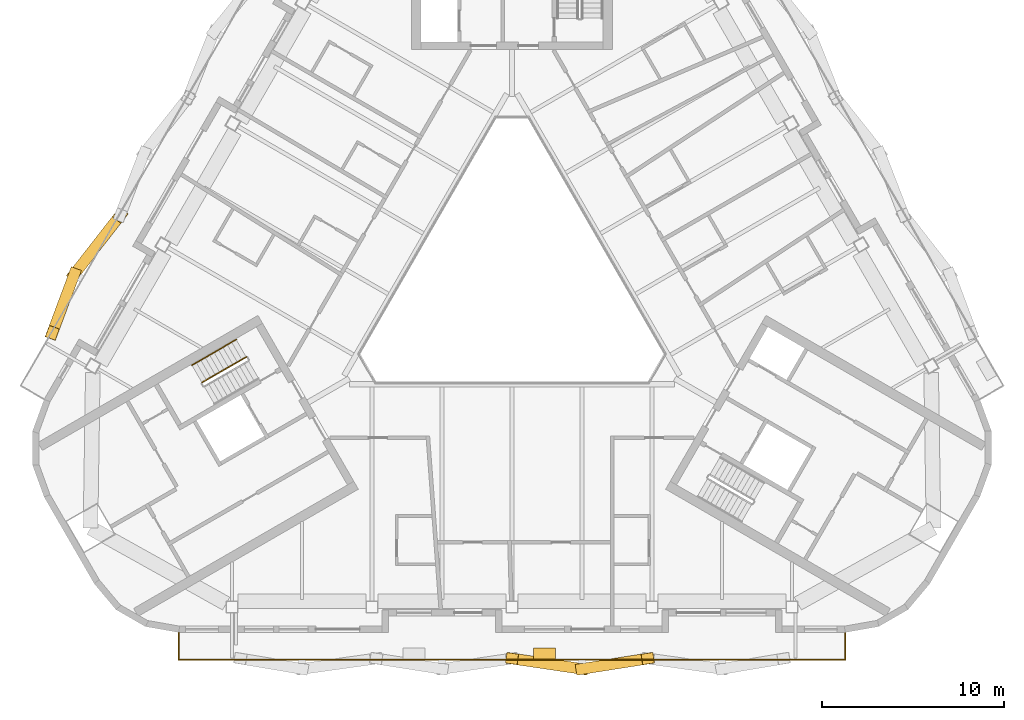
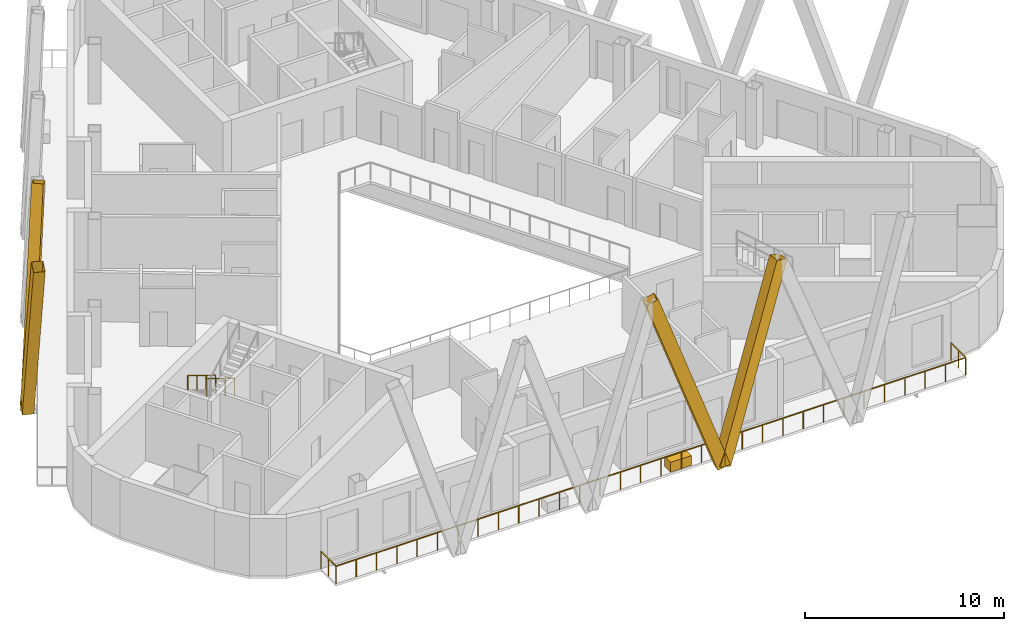
# One storey, part 10 of 14: 4 shading devices, 3 railings, 1 covering.
"""IFC4 building model written with IfcOpenShell, lengths in metres."""

from ifc_helpers import new_model, si_unit, direction, frame, origin, origin_2d, place, context, subcontext, project, spatial, rectangle, hollow_rectangle, circle, extrude, material, material_profile, profile_set, type_object, element, save


model = new_model("IFC4")

# Units and contexts
model_context = context("Model", 3, precision=1e-05, world=origin(), true_north=direction((0.0, 1.0)))
body_context = subcontext(model_context, "Body", "Model", "MODEL_VIEW")
ifc_project = project(units=[si_unit("LENGTHUNIT", "METRE"), si_unit("AREAUNIT", "SQUARE_METRE"), si_unit("VOLUMEUNIT", "CUBIC_METRE"), si_unit("PLANEANGLEUNIT", "RADIAN"), si_unit("MASSUNIT", "GRAM", prefix="KILO")], contexts=[model_context])

# Site, building, storey
site_placement = place(None, origin())
site = spatial("IfcSite", under=ifc_project, at=site_placement, CompositionType="ELEMENT")
building_placement = place(site_placement, origin())
building = spatial("IfcBuilding", under=site, at=building_placement, Name="Apuvela Tower Hotel", CompositionType="ELEMENT")
storey_placement = place(building_placement, frame((0.0, 0.0, 257.800048828125)))
storey = spatial("IfcBuildingStorey", under=building, at=storey_placement, Name="L63", CompositionType="ELEMENT", Elevation=257.800048828125)

# Railings
ifc_material_1 = material(Name="Steel S275 balustrade", Category="steel")
railing_type_1 = type_object("IfcRailingType", Name="COR-GUARD-1100", PredefinedType="GUARDRAIL", material=ifc_material_1)
railing_1_placement = place(storey_placement, frame((-14.569091796875, -3.9658203125, 0.168212890625)))
element("IfcRailing", 1, at=railing_1_placement, inside=storey, type_object=railing_type_1, Name="L63 ST2 stair guard 1", PredefinedType="GUARDRAIL", context=body_context, shape_type="SweptSolid", body=[
    extrude(rectangle(XDim=0.048095703125, YDim=0.048095703125, at=origin_2d()), frame((0.0, 0.0, 1.076171875), z_axis=(-0.74241905619, -0.428617687091, 0.514879426), x_axis=(0.49998411664, -0.866034573852, 0.0)), (0.0, 0.0, 1.0), 3.26611328125),
    extrude(rectangle(XDim=0.0419921875, YDim=0.0419921875, at=origin_2d()), origin(), (0.0, 0.0, 1.0), 1.052001953125),
    extrude(rectangle(XDim=0.0419921875, YDim=0.0419921875, at=origin_2d()), frame((-0.808349609375, -0.466552734375, 0.560546875)), (0.0, 0.0, 1.0), 1.052001953125),
    extrude(rectangle(XDim=0.0419921875, YDim=0.0419921875, at=origin_2d()), frame((-1.616455078125, -0.933349609375, 1.12109375)), (0.0, 0.0, 1.0), 1.052001953125),
    extrude(rectangle(XDim=0.0419921875, YDim=0.0419921875, at=origin_2d()), frame((-2.4248046875, -1.39990234375, 1.681640625)), (0.0, 0.0, 1.0), 1.052001953125),
])
ifc_material_2 = material(Name="Stainless steel 316 handrail", Category="steel")
railing_type_2 = type_object("IfcRailingType", Name="COR-HANDRAIL-900", PredefinedType="HANDRAIL", material=ifc_material_2)
railing_2_placement = place(storey_placement, frame((-15.118896484375, -3.01318359375, 0.168212890625)))
element("IfcRailing", 2, at=railing_2_placement, inside=storey, type_object=railing_type_2, Name="L63 ST2 stair handrail 1", PredefinedType="HANDRAIL", context=body_context, shape_type="SweptSolid", body=[
    extrude(circle(Radius=0.02392578125, at=origin_2d()), frame((0.0, 0.0, 0.8759765625), z_axis=(-0.742452602333, -0.428593901316, 0.514850853203), x_axis=(0.49994636267, -0.866056369097, 0.0)), (0.0, 0.0, 1.0), 3.266357421875),
    extrude(rectangle(XDim=0.0419921875, YDim=0.0419921875, at=origin_2d()), origin(), (0.0, 0.0, 1.0), 0.851806640625),
    extrude(rectangle(XDim=0.0419921875, YDim=0.0419921875, at=origin_2d()), frame((-0.808349609375, -0.466552734375, 0.560546875)), (0.0, 0.0, 1.0), 0.851806640625),
    extrude(rectangle(XDim=0.0419921875, YDim=0.0419921875, at=origin_2d()), frame((-1.61669921875, -0.933349609375, 1.12109375)), (0.0, 0.0, 1.0), 0.851806640625),
    extrude(rectangle(XDim=0.0419921875, YDim=0.0419921875, at=origin_2d()), frame((-2.425048828125, -1.39990234375, 1.681640625)), (0.0, 0.0, 1.0), 0.851806640625),
])

# Shading devices
ifc_material_3 = material(Name="Aluminium 6063-T6, black anodised", Category="aluminium")
ifc_material_profile = material_profile(ifc_material_3, hollow_rectangle(XDim=0.60009765625, YDim=0.699951171875, WallThickness=0.011962890625, at=origin_2d()), Name="AL BOX 700x600x12")
ifc_profile_set = profile_set([ifc_material_profile], Name="Aluminium 6063-T6, black anodised")
shading_device_type = type_object("IfcShadingDeviceType", Name="ENV-FIN-700x600", PredefinedType="USERDEFINED", material=ifc_profile_set)
shading_device_1_placement = place(storey_placement, frame((3.8359375, -21.06298828125, -0.10009765625), z_axis=(-0.326243397672, 0.048234687678, 0.944054373635), x_axis=(-0.146258864264, -0.989246351838, 0.0)))
element("IfcShadingDevice", 3, at=shading_device_1_placement, inside=storey, type_object=shading_device_type, Name="Lattice fin S541", ObjectType="FIN", PredefinedType="USERDEFINED", context=body_context, shape_type="SweptSolid", body=[
    extrude(hollow_rectangle(XDim=0.60009765625, YDim=0.699951171875, WallThickness=0.011962890625, at=origin_2d()), origin(), (0.0, 0.0, 1.0), 11.7578125),
])
shading_device_2_placement = place(storey_placement, frame((3.8359375, -21.06298828125, -0.10009765625), z_axis=(0.308732219208, 0.048533866497, 0.949909932902), x_axis=(-0.155296550327, 0.987867896764, 0.0)))
element("IfcShadingDevice", 4, at=shading_device_2_placement, inside=storey, type_object=shading_device_type, Name="Lattice fin S542", ObjectType="FIN", PredefinedType="USERDEFINED", context=body_context, shape_type="SweptSolid", body=[
    extrude(hollow_rectangle(XDim=0.60009765625, YDim=0.699951171875, WallThickness=0.011962890625, at=origin_2d()), origin(), (0.0, 0.0, 1.0), 11.685302734375),
])
shading_device_3_placement = place(storey_placement, frame((-23.994873046875, 0.5654296875, -0.10009765625), z_axis=(0.213209995974, 0.273449298175, 0.937958943102), x_axis=(-0.788614818164, 0.61488752514, 0.0)))
element("IfcShadingDevice", 5, at=shading_device_3_placement, inside=storey, type_object=shading_device_type, Name="Lattice fin NW607", ObjectType="FIN", PredefinedType="USERDEFINED", context=body_context, shape_type="SweptSolid", body=[
    extrude(hollow_rectangle(XDim=0.60009765625, YDim=0.699951171875, WallThickness=0.011962890625, at=origin_2d()), origin(), (0.0, 0.0, 1.0), 11.834228515625),
])
shading_device_4_placement = place(storey_placement, frame((-23.994873046875, 0.5654296875, -0.10009765625), z_axis=(-0.1031876675, -0.27633699388, 0.955505191555), x_axis=(0.936817233822, -0.34981919675, 0.0)))
element("IfcShadingDevice", 6, at=shading_device_4_placement, inside=storey, type_object=shading_device_type, Name="Lattice fin NW608", ObjectType="FIN", PredefinedType="USERDEFINED", context=body_context, shape_type="SweptSolid", body=[
    extrude(hollow_rectangle(XDim=0.60009765625, YDim=0.699951171875, WallThickness=0.011962890625, at=origin_2d()), origin(), (0.0, 0.0, 1.0), 11.616943359375),
])

# Railing
ifc_material_4 = material(Name="Stainless steel 316 rail with laminated glass infill", Category="steel")
railing_type_3 = type_object("IfcRailingType", Name="ENV-GUARD-1100", PredefinedType="GUARDRAIL", material=ifc_material_4)
railing_3_placement = place(storey_placement, frame((-18.272216796875, -19.06298828125, 0.0)))
element("IfcRailing", 7, at=railing_3_placement, inside=storey, type_object=railing_type_3, Name="Balcony guard S L63", PredefinedType="GUARDRAIL", context=body_context, shape_type="SweptSolid", body=[
    extrude(rectangle(XDim=0.050048828125, YDim=0.050048828125, at=origin_2d()), frame((0.0, 0.0, 1.0751953125), z_axis=(0.0, -1.0, 0.0), x_axis=(1.0, 0.0, 0.0)), (0.0, 0.0, 1.0), 1.5),
    extrude(rectangle(XDim=0.050048828125, YDim=0.050048828125, at=origin_2d()), frame((0.0, -1.5, 1.0751953125), z_axis=(1.0, 0.0, 0.0), x_axis=(0.0, 1.0, 0.0)), (0.0, 0.0, 1.0), 36.54443359375),
    extrude(rectangle(XDim=0.050048828125, YDim=0.050048828125, at=origin_2d()), frame((36.54443359375, -1.5, 1.0751953125), z_axis=(0.0, 1.0, 0.0), x_axis=(-1.0, 0.0, 0.0)), (0.0, 0.0, 1.0), 1.5),
    extrude(rectangle(XDim=0.0400390625, YDim=0.0400390625, at=origin_2d()), origin(), (0.0, 0.0, 1.0), 1.050048828125),
    extrude(rectangle(XDim=0.0400390625, YDim=0.0400390625, at=origin_2d()), frame((0.0, -0.75, 0.0)), (0.0, 0.0, 1.0), 1.050048828125),
    extrude(rectangle(XDim=0.0400390625, YDim=0.0400390625, at=origin_2d()), frame((0.0, -1.5, 0.0)), (0.0, 0.0, 1.0), 1.050048828125),
    extrude(rectangle(XDim=0.0400390625, YDim=0.0400390625, at=origin_2d()), frame((1.178955078125, -1.5, 0.0)), (0.0, 0.0, 1.0), 1.050048828125),
    extrude(rectangle(XDim=0.0400390625, YDim=0.0400390625, at=origin_2d()), frame((2.357666015625, -1.5, 0.0)), (0.0, 0.0, 1.0), 1.050048828125),
    extrude(rectangle(XDim=0.0400390625, YDim=0.0400390625, at=origin_2d()), frame((3.53662109375, -1.5, 0.0)), (0.0, 0.0, 1.0), 1.050048828125),
    extrude(rectangle(XDim=0.0400390625, YDim=0.0400390625, at=origin_2d()), frame((4.71533203125, -1.5, 0.0)), (0.0, 0.0, 1.0), 1.050048828125),
    extrude(rectangle(XDim=0.0400390625, YDim=0.0400390625, at=origin_2d()), frame((5.894287109375, -1.5, 0.0)), (0.0, 0.0, 1.0), 1.050048828125),
    extrude(rectangle(XDim=0.0400390625, YDim=0.0400390625, at=origin_2d()), frame((7.072998046875, -1.5, 0.0)), (0.0, 0.0, 1.0), 1.050048828125),
    extrude(rectangle(XDim=0.0400390625, YDim=0.0400390625, at=origin_2d()), frame((8.251953125, -1.5, 0.0)), (0.0, 0.0, 1.0), 1.050048828125),
    extrude(rectangle(XDim=0.0400390625, YDim=0.0400390625, at=origin_2d()), frame((9.430908203125, -1.5, 0.0)), (0.0, 0.0, 1.0), 1.050048828125),
    extrude(rectangle(XDim=0.0400390625, YDim=0.0400390625, at=origin_2d()), frame((10.609619140625, -1.5, 0.0)), (0.0, 0.0, 1.0), 1.050048828125),
    extrude(rectangle(XDim=0.0400390625, YDim=0.0400390625, at=origin_2d()), frame((11.78857421875, -1.5, 0.0)), (0.0, 0.0, 1.0), 1.050048828125),
    extrude(rectangle(XDim=0.0400390625, YDim=0.0400390625, at=origin_2d()), frame((12.96728515625, -1.5, 0.0)), (0.0, 0.0, 1.0), 1.050048828125),
    extrude(rectangle(XDim=0.0400390625, YDim=0.0400390625, at=origin_2d()), frame((14.146240234375, -1.5, 0.0)), (0.0, 0.0, 1.0), 1.050048828125),
    extrude(rectangle(XDim=0.0400390625, YDim=0.0400390625, at=origin_2d()), frame((15.3251953125, -1.5, 0.0)), (0.0, 0.0, 1.0), 1.050048828125),
    extrude(rectangle(XDim=0.0400390625, YDim=0.0400390625, at=origin_2d()), frame((16.50390625, -1.5, 0.0)), (0.0, 0.0, 1.0), 1.050048828125),
    extrude(rectangle(XDim=0.0400390625, YDim=0.0400390625, at=origin_2d()), frame((17.682861328125, -1.5, 0.0)), (0.0, 0.0, 1.0), 1.050048828125),
    extrude(rectangle(XDim=0.0400390625, YDim=0.0400390625, at=origin_2d()), frame((18.861572265625, -1.5, 0.0)), (0.0, 0.0, 1.0), 1.050048828125),
    extrude(rectangle(XDim=0.0400390625, YDim=0.0400390625, at=origin_2d()), frame((20.04052734375, -1.5, 0.0)), (0.0, 0.0, 1.0), 1.050048828125),
    extrude(rectangle(XDim=0.0400390625, YDim=0.0400390625, at=origin_2d()), frame((21.21923828125, -1.5, 0.0)), (0.0, 0.0, 1.0), 1.050048828125),
    extrude(rectangle(XDim=0.0400390625, YDim=0.0400390625, at=origin_2d()), frame((22.398193359375, -1.5, 0.0)), (0.0, 0.0, 1.0), 1.050048828125),
    extrude(rectangle(XDim=0.0400390625, YDim=0.0400390625, at=origin_2d()), frame((23.5771484375, -1.5, 0.0)), (0.0, 0.0, 1.0), 1.050048828125),
    extrude(rectangle(XDim=0.0400390625, YDim=0.0400390625, at=origin_2d()), frame((24.755859375, -1.5, 0.0)), (0.0, 0.0, 1.0), 1.050048828125),
    extrude(rectangle(XDim=0.0400390625, YDim=0.0400390625, at=origin_2d()), frame((25.934814453125, -1.5, 0.0)), (0.0, 0.0, 1.0), 1.050048828125),
    extrude(rectangle(XDim=0.0400390625, YDim=0.0400390625, at=origin_2d()), frame((27.113525390625, -1.5, 0.0)), (0.0, 0.0, 1.0), 1.050048828125),
    extrude(rectangle(XDim=0.0400390625, YDim=0.0400390625, at=origin_2d()), frame((28.29248046875, -1.5, 0.0)), (0.0, 0.0, 1.0), 1.050048828125),
    extrude(rectangle(XDim=0.0400390625, YDim=0.0400390625, at=origin_2d()), frame((29.471435546875, -1.5, 0.0)), (0.0, 0.0, 1.0), 1.050048828125),
    extrude(rectangle(XDim=0.0400390625, YDim=0.0400390625, at=origin_2d()), frame((30.650146484375, -1.5, 0.0)), (0.0, 0.0, 1.0), 1.050048828125),
    extrude(rectangle(XDim=0.0400390625, YDim=0.0400390625, at=origin_2d()), frame((31.8291015625, -1.5, 0.0)), (0.0, 0.0, 1.0), 1.050048828125),
    extrude(rectangle(XDim=0.0400390625, YDim=0.0400390625, at=origin_2d()), frame((33.0078125, -1.5, 0.0)), (0.0, 0.0, 1.0), 1.050048828125),
    extrude(rectangle(XDim=0.0400390625, YDim=0.0400390625, at=origin_2d()), frame((34.186767578125, -1.5, 0.0)), (0.0, 0.0, 1.0), 1.050048828125),
    extrude(rectangle(XDim=0.0400390625, YDim=0.0400390625, at=origin_2d()), frame((35.365478515625, -1.5, 0.0)), (0.0, 0.0, 1.0), 1.050048828125),
    extrude(rectangle(XDim=0.0400390625, YDim=0.0400390625, at=origin_2d()), frame((36.54443359375, -1.5, 0.0)), (0.0, 0.0, 1.0), 1.050048828125),
    extrude(rectangle(XDim=0.0400390625, YDim=0.0400390625, at=origin_2d()), frame((36.54443359375, -0.75, 0.0)), (0.0, 0.0, 1.0), 1.050048828125),
    extrude(rectangle(XDim=0.0400390625, YDim=0.0400390625, at=origin_2d()), frame((36.54443359375, 0.0, 0.0)), (0.0, 0.0, 1.0), 1.050048828125),
])

# Covering
ifc_material_5 = material(Name="Planting substrate and soil, planted")
covering_type = type_object("IfcCoveringType", Name="ENV-PLANTER-1200x600", PredefinedType="USERDEFINED", material=ifc_material_5)
covering_placement = place(storey_placement, frame((1.775146484375, -20.212890625, 0.0), z_axis=(0.0, 0.0, 1.0), x_axis=(1.0, 0.0, 0.0)))
element("IfcCovering", 8, at=covering_placement, inside=storey, type_object=covering_type, Name="Planter S2", ObjectType="PLANTER", PredefinedType="USERDEFINED", context=body_context, shape_type="SweptSolid", body=[
    extrude(rectangle(XDim=1.199951171875, YDim=0.60009765625, at=origin_2d()), origin(), (0.0, 0.0, 1.0), 0.60009765625),
])

save(model, "model.ifc")
